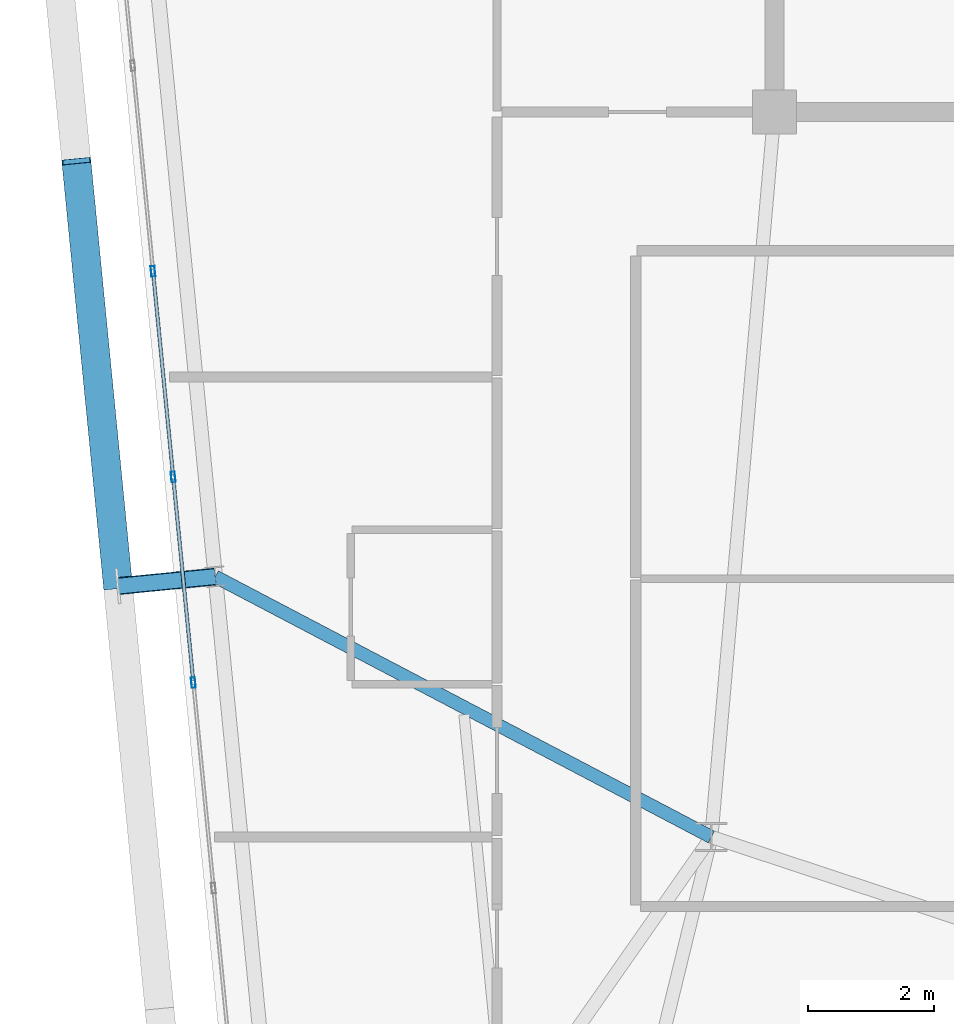
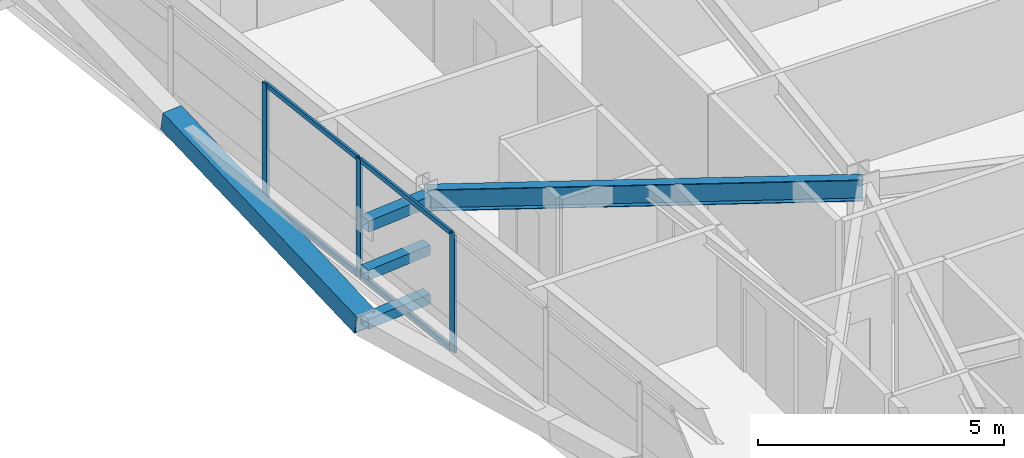
# One storey, part 13 of 54: 11 members, 1 beam, 1 element without a shape of its own.
"""IFC4 building model written with IfcOpenShell, lengths in metres."""

from ifc_helpers import new_model, si_unit, direction, frame, origin, origin_2d, place, context, subcontext, project, spatial, hollow_rectangle, i_section, extrude, source, transform, mapped, material, layer, layer_set, material_profile, profile_set, type_object, element, aggregate, save


model = new_model("IFC4")

# Units and contexts
model_context = context("Model", 3, precision=1e-05, world=origin(), true_north=direction((0.0, 1.0)))
body_context = subcontext(model_context, "Body", "Model", "MODEL_VIEW")
ifc_project = project(units=[si_unit("LENGTHUNIT", "METRE"), si_unit("AREAUNIT", "SQUARE_METRE"), si_unit("VOLUMEUNIT", "CUBIC_METRE"), si_unit("PLANEANGLEUNIT", "RADIAN"), si_unit("MASSUNIT", "GRAM", prefix="KILO")], contexts=[model_context])

# Site, building, storey
site_placement = place(None, origin())
site = spatial("IfcSite", under=ifc_project, at=site_placement, CompositionType="ELEMENT")
building_placement = place(site_placement, origin())
building = spatial("IfcBuilding", under=site, at=building_placement, Name="Taldren Reach Tower", CompositionType="ELEMENT")
storey_placement = place(building_placement, frame((0.0, 0.0, 102.89990234375)))
storey = spatial("IfcBuildingStorey", under=building, at=storey_placement, Name="L31", CompositionType="ELEMENT", Elevation=102.89990234375)

# Beam
ifc_material_1 = material(Name="Steel Gr 350 (350PLUS)", Category="steel")
ifc_material_profile_1 = material_profile(ifc_material_1, i_section(OverallWidth=0.208984375, OverallDepth=0.532958984375, WebThickness=0.01025390625, FlangeThickness=0.015625, at=origin_2d()), Name="530UB92.4")
ifc_profile_set_1 = profile_set([ifc_material_profile_1], Name="Steel Gr 350 (350PLUS)")
beam_type = type_object("IfcBeamType", Name="BM-UB530A", PredefinedType="BEAM", material=ifc_profile_set_1)
shared_shape_1 = source(origin(), body_context, "Body", "SweptSolid", [
    extrude(i_section(OverallWidth=0.208984375, OverallDepth=0.532958984375, WebThickness=0.01025390625, FlangeThickness=0.015625, at=origin_2d()), origin(), (0.0, 0.0, 1.0), 8.8876953125),
])
beam_placement = place(storey_placement, frame((18.0, 12.5, 2.66357421875), z_axis=(-0.885412881876, 0.464805366371, 0.0), x_axis=(-0.464805366371, -0.885412881876, 0.0)))
element("IfcBeam", 1, at=beam_placement, inside=storey, type_object=beam_type, Name="Primary floor girder B2-W2 L31", PredefinedType="BEAM", context=body_context, shape_type="MappedRepresentation", body=[
    mapped(shared_shape_1, transform((0.0, 0.0, 0.0), scale=1.0)),
])

# Members
ifc_material_2 = material(Name="Steel Gr 450 (C450L0)", Category="steel")
ifc_material_profile_2 = material_profile(ifc_material_2, hollow_rectangle(XDim=0.27490234375, YDim=0.27490234375, WallThickness=0.00927734375, at=origin_2d()), Name="275x275x9.3SHS")
ifc_profile_set_2 = profile_set([ifc_material_profile_2], Name="Steel Gr 450 (C450L0)")
member_type_1 = type_object("IfcMemberType", Name="MB-TIE273", PredefinedType="STRUT", material=ifc_profile_set_2)
shared_shape_2 = source(origin(), body_context, "Body", "SweptSolid", [
    extrude(hollow_rectangle(XDim=0.27490234375, YDim=0.27490234375, WallThickness=0.00927734375, at=origin_2d()), origin(), (0.0, 0.0, 1.0), 1.550048828125),
])
member_1_placement = place(storey_placement, frame((10.130615234375, 16.631103515625, 2.650146484375), z_axis=(-0.9952210252, -0.097647892962, 0.0), x_axis=(0.097647892962, -0.9952210252, 0.0)))
element("IfcMember", 2, at=member_1_placement, inside=storey, type_object=member_type_1, Name="Exoskeleton diaphragm tie strut B2-W2 L31", PredefinedType="STRUT", context=body_context, shape_type="MappedRepresentation", body=[
    mapped(shared_shape_2, transform((0.0, 0.0, 0.0), scale=1.0)),
])
ifc_material_3 = material(Name="Steel Gr 350 (C350L0)", Category="steel")
ifc_material_profile_3 = material_profile(ifc_material_3, hollow_rectangle(XDim=0.25, YDim=0.25, WallThickness=0.010009765625, at=origin_2d()), Name="250x250x10.0SHS")
ifc_profile_set_3 = profile_set([ifc_material_profile_3], Name="Steel Gr 350 (C350L0)")
member_type_2 = type_object("IfcMemberType", Name="MB-POST250", PredefinedType="POST", material=ifc_profile_set_3)
shared_shape_3 = source(origin(), body_context, "Body", "SweptSolid", [
    extrude(hollow_rectangle(XDim=0.25, YDim=0.25, WallThickness=0.010009765625, at=origin_2d()), origin(), (0.0, 0.0, 1.0), 1.550048828125),
])
for number, where, z_axis, x_axis, name in (
    (3, (10.130615234375, 16.631103515625, 0.22021484375), (-0.9952210252, -0.097647892962, 0.0), (0.097647892962, -0.9952210252, 0.0), "Exoskeleton base diaphragm tie strut B2-W2 L31"),
    (4, (10.130615234375, 16.631103515625, 1.43505859375), (-0.9952210252, -0.097647892962, 0.0), (0.097647892962, -0.9952210252, 0.0), "Exoskeleton mid-tier diaphragm tie B2-W2 L31"),
):
    element("IfcMember", number, at=place(storey_placement, frame(where, z_axis=z_axis, x_axis=x_axis)), inside=storey, type_object=member_type_2, Name=name, PredefinedType="POST", context=body_context, shape_type="MappedRepresentation", body=[
        mapped(shared_shape_3, transform((0.0, 0.0, 0.0), scale=1.0)),
    ])
ifc_material_profile_4 = material_profile(ifc_material_2, hollow_rectangle(XDim=0.4599609375, YDim=0.4599609375, WallThickness=0.01611328125, at=origin_2d()), Name="460x460x16.0SHS")
ifc_profile_set_4 = profile_set([ifc_material_profile_4], Name="Steel Gr 450 (C450L0)")
member_type_3 = type_object("IfcMemberType", Name="MB-EXO457", PredefinedType="BRACE", material=ifc_profile_set_4)
shared_shape_4 = source(origin(), body_context, "Body", "SweptSolid", [
    extrude(hollow_rectangle(XDim=0.4599609375, YDim=0.4599609375, WallThickness=0.01611328125, at=origin_2d()), origin(), (0.0, 0.0, 1.0), 6.883056640625),
])
member_2_placement = place(storey_placement, frame((8.587890625, 16.479736328125, 0.22021484375), z_axis=(-0.096052059581, 0.979603316657, 0.176497432967), x_axis=(-0.995227290009, -0.097584021339, 0.0)))
element("IfcMember", 5, at=member_2_placement, inside=storey, type_object=member_type_3, Name="Exoskeleton Diagrid Brace B2-W2 L31", PredefinedType="BRACE", context=body_context, shape_type="MappedRepresentation", body=[
    mapped(shared_shape_4, transform((0.0, 0.0, 0.0), scale=1.0)),
])

# Curtain wall, members
ifc_material_4 = material(Name="Aluminium and Low-E Glass Unitised System", Category="aluminium")
ifc_layer = layer(ifc_material_4, 0.159912109375)
ifc_layer_set = layer_set([ifc_layer], Name="Aluminium and Low-E Glass Unitised System")
curtain_wall_type = type_object("IfcCurtainWallType", Name="CW-SYS-3", PredefinedType="NOTDEFINED", material=ifc_layer_set)
curtain_wall_placement = place(storey_placement, origin())
curtain_wall = element("IfcCurtainWall", 6, at=curtain_wall_placement, inside=storey, type_object=curtain_wall_type, Name="Unitised curtain wall CW-L31-W", PredefinedType="NOTDEFINED")
ifc_material_5 = material(Name="Anodised Aluminium 6063-T6", Category="aluminium")
ifc_material_profile_5 = material_profile(ifc_material_5, hollow_rectangle(XDim=0.06494140625, YDim=0.1650390625, WallThickness=0.00390625, at=origin_2d()), Name="ALU-165x65x4RHS")
ifc_profile_set_5 = profile_set([ifc_material_profile_5], Name="Anodised Aluminium 6063-T6")
member_type_4 = type_object("IfcMemberType", Name="CW-MUL-165", PredefinedType="MULLION", material=ifc_profile_set_5)
shared_shape_5 = source(origin(), body_context, "Body", "SweptSolid", [
    extrude(hollow_rectangle(XDim=0.06494140625, YDim=0.1650390625, WallThickness=0.00390625, at=origin_2d()), origin(), (0.0, 0.0, 1.0), 2.93017578125),
])
member_3_placement = place(storey_placement, frame((9.14306640625, 21.474609375, 0.0), z_axis=(0.0, 0.0, 1.0), x_axis=(0.99522741555, 0.09758274098, 0.0)))
member_3 = element("IfcMember", 7, at=member_3_placement, type_object=member_type_4, Name="CW-3 mullion 4", PredefinedType="MULLION", context=body_context, shape_type="MappedRepresentation", body=[
    mapped(shared_shape_5, transform((0.0, 0.0, 0.0), scale=1.0)),
])
member_4_placement = place(storey_placement, frame((9.463134765625, 18.21240234375, 0.0), z_axis=(0.0, 0.0, 1.0), x_axis=(0.99522741555, 0.09758274098, 0.0)))
member_4 = element("IfcMember", 8, at=member_4_placement, type_object=member_type_4, Name="CW-3 mullion 5", PredefinedType="MULLION", context=body_context, shape_type="MappedRepresentation", body=[
    mapped(shared_shape_5, transform((0.0, 0.0, 0.0), scale=1.0)),
])
member_5_placement = place(storey_placement, frame((9.782958984375, 14.9501953125, 0.0), z_axis=(0.0, 0.0, 1.0), x_axis=(0.99522741555, 0.09758274098, 0.0)))
member_5 = element("IfcMember", 9, at=member_5_placement, type_object=member_type_4, Name="CW-3 mullion 6", PredefinedType="MULLION", context=body_context, shape_type="MappedRepresentation", body=[
    mapped(shared_shape_5, transform((0.0, 0.0, 0.0), scale=1.0)),
])
ifc_material_profile_6 = material_profile(ifc_material_5, hollow_rectangle(XDim=0.054931640625, YDim=0.1201171875, WallThickness=0.0029296875, at=origin_2d()), Name="ALU-120x55x3RHS")
ifc_profile_set_6 = profile_set([ifc_material_profile_6], Name="Anodised Aluminium 6063-T6")
member_type_5 = type_object("IfcMemberType", Name="CW-TRN-135", PredefinedType="USERDEFINED", material=ifc_profile_set_6)
shared_shape_6 = source(origin(), body_context, "Body", "SweptSolid", [
    extrude(hollow_rectangle(XDim=0.054931640625, YDim=0.1201171875, WallThickness=0.0029296875, at=origin_2d()), origin(), (0.0, 0.0, 1.0), 3.212890625),
])
member_6_placement = place(storey_placement, frame((9.46630859375, 18.18017578125, 0.027587890625), z_axis=(0.097569948235, -0.995228669805, 0.0), x_axis=(0.995228669805, 0.097569948235, 0.0)))
member_6 = element("IfcMember", 10, at=member_6_placement, type_object=member_type_5, Name="CW-3 transom 5.1", ObjectType="TRANSOM", PredefinedType="USERDEFINED", context=body_context, shape_type="MappedRepresentation", body=[
    mapped(shared_shape_6, transform((0.0, 0.0, 0.0), scale=1.0)),
])
member_7_placement = place(storey_placement, frame((9.46630859375, 18.18017578125, 2.902587890625), z_axis=(0.097569948235, -0.995228669805, 0.0), x_axis=(0.995228669805, 0.097569948235, 0.0)))
member_7 = element("IfcMember", 11, at=member_7_placement, type_object=member_type_5, Name="CW-3 transom 5.2", ObjectType="TRANSOM", PredefinedType="USERDEFINED", context=body_context, shape_type="MappedRepresentation", body=[
    mapped(shared_shape_6, transform((0.0, 0.0, 0.0), scale=1.0)),
])
shared_shape_7 = source(origin(), body_context, "Body", "SweptSolid", [
    extrude(hollow_rectangle(XDim=0.054931640625, YDim=0.1201171875, WallThickness=0.0029296875, at=origin_2d()), origin(), (0.0, 0.0, 1.0), 3.212646484375),
])
member_8_placement = place(storey_placement, frame((9.146240234375, 21.442138671875, 0.027587890625), z_axis=(0.097652598057, -0.99522056354, 0.0), x_axis=(0.99522056354, 0.097652598057, 0.0)))
member_8 = element("IfcMember", 12, at=member_8_placement, type_object=member_type_5, Name="CW-3 transom 4.1", ObjectType="TRANSOM", PredefinedType="USERDEFINED", context=body_context, shape_type="MappedRepresentation", body=[
    mapped(shared_shape_7, transform((0.0, 0.0, 0.0), scale=1.0)),
])
member_9_placement = place(storey_placement, frame((9.146240234375, 21.442138671875, 2.902587890625), z_axis=(0.097652598057, -0.99522056354, 0.0), x_axis=(0.99522056354, 0.097652598057, 0.0)))
member_9 = element("IfcMember", 13, at=member_9_placement, type_object=member_type_5, Name="CW-3 transom 4.2", ObjectType="TRANSOM", PredefinedType="USERDEFINED", context=body_context, shape_type="MappedRepresentation", body=[
    mapped(shared_shape_7, transform((0.0, 0.0, 0.0), scale=1.0)),
])
aggregate(curtain_wall, [member_3, member_4, member_5, member_8, member_9, member_6, member_7])

save(model, "model.ifc")
